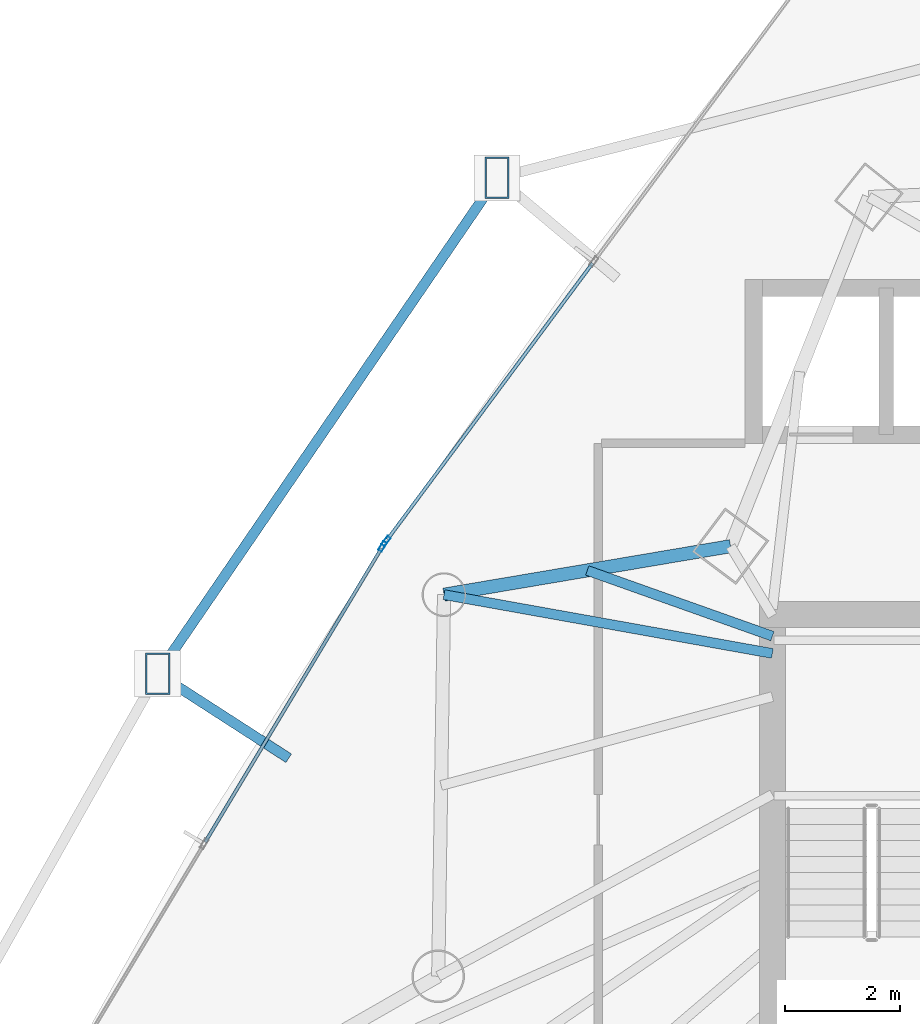
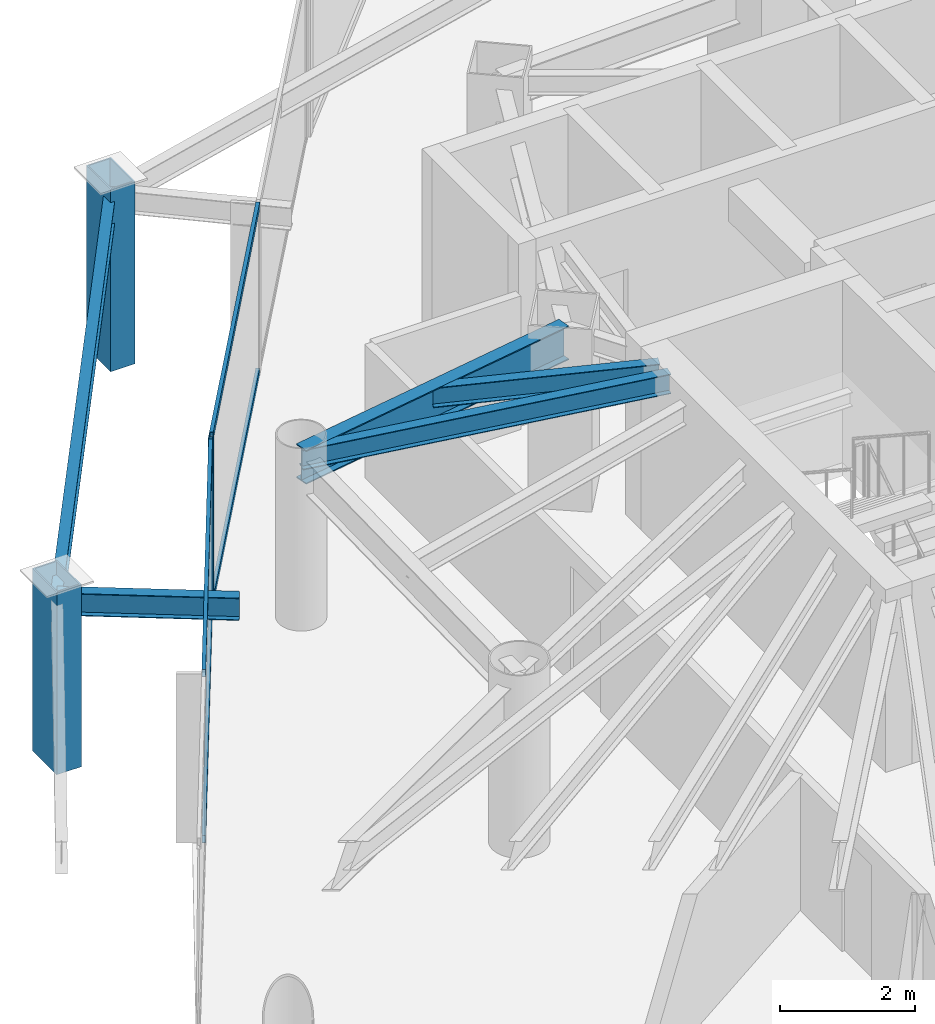
# One storey, part 20 of 33: 8 members, 5 beams, 2 elements without a shape of their own.
"""IFC4 building model written with IfcOpenShell, lengths in metres."""

from ifc_helpers import new_model, si_unit, direction, frame, origin, origin_2d, place, context, subcontext, project, spatial, hollow_rectangle, i_section, extrude, material, layer, layer_set, material_profile, profile_set, type_object, element, aggregate, save


model = new_model("IFC4")

# Units and contexts
model_context = context("Model", 3, precision=1e-05, world=origin(), true_north=direction((0.0, 1.0)))
body_context = subcontext(model_context, "Body", "Model", "MODEL_VIEW")
ifc_project = project(units=[si_unit("LENGTHUNIT", "METRE"), si_unit("AREAUNIT", "SQUARE_METRE"), si_unit("VOLUMEUNIT", "CUBIC_METRE"), si_unit("PLANEANGLEUNIT", "RADIAN"), si_unit("MASSUNIT", "GRAM", prefix="KILO")], contexts=[model_context])

# Site, building, storey
site_placement = place(None, origin())
site = spatial("IfcSite", under=ifc_project, at=site_placement, CompositionType="ELEMENT")
building_placement = place(site_placement, origin())
building = spatial("IfcBuilding", under=site, at=building_placement, Name="Orvanel Arch Residences", CompositionType="ELEMENT")
storey_placement = place(building_placement, frame((0.0, 0.0, 87.35009765625)))
storey = spatial("IfcBuildingStorey", under=building, at=storey_placement, Name="L24", CompositionType="ELEMENT", Elevation=87.35009765625)

# Beams
ifc_material_1 = material(Name="Structural steel AS/NZS 3679.1 Grade 300 (300 MPa)", Category="steel")
ifc_material_profile_1 = material_profile(ifc_material_1, i_section(OverallWidth=0.1708984375, OverallDepth=0.35595703125, WebThickness=0.00732421875, FlangeThickness=0.011474609375, at=origin_2d()), Name="360UB50.7")
ifc_profile_set_1 = profile_set([ifc_material_profile_1], Name="Structural steel AS/NZS 3679.1 Grade 300 (300 MPa)")
beam_type_1 = type_object("IfcBeamType", Name="BJ-360UB", PredefinedType="JOIST", material=ifc_profile_set_1)
beam_1_placement = place(storey_placement, frame((26.375, 33.25, 2.8818359375), z_axis=(-0.984360855662, 0.176163860766, 0.0), x_axis=(-0.176163860766, -0.984360855662, 0.0)))
element("IfcBeam", 1, at=beam_1_placement, inside=storey, type_object=beam_type_1, Name="L24 LW Wing Floor Joist", PredefinedType="JOIST", context=body_context, shape_type="SweptSolid", body=[
    extrude(i_section(OverallWidth=0.1708984375, OverallDepth=0.35595703125, WebThickness=0.00732421875, FlangeThickness=0.011474609375, at=origin_2d()), origin(), (0.0, 0.0, 1.0), 5.795654296875),
])
beam_2_placement = place(storey_placement, frame((26.375, 33.550048828125, 2.8818359375), z_axis=(-0.942366638377, 0.334582006201, 0.0), x_axis=(-0.334582006201, -0.942366638377, 0.0)))
element("IfcBeam", 2, at=beam_2_placement, inside=storey, type_object=beam_type_1, Name="L24 JADD3 Wing Floor Joist", PredefinedType="JOIST", context=body_context, shape_type="SweptSolid", body=[
    extrude(i_section(OverallWidth=0.1708984375, OverallDepth=0.35595703125, WebThickness=0.00732421875, FlangeThickness=0.011474609375, at=origin_2d()), origin(), (0.0, 0.0, 1.0), 3.412841796875),
])

# Members
ifc_material_2 = material(Name="Structural steel AS/NZS 3678 Grade 350", Category="steel")
ifc_material_profile_2 = material_profile(ifc_material_2, hollow_rectangle(XDim=0.419921875, YDim=0.719970703125, WallThickness=0.02490234375, at=origin_2d()), Name="RHS720x420x25")
ifc_profile_set_2 = profile_set([ifc_material_profile_2], Name="Structural steel AS/NZS 3678 Grade 350")
member_type_1 = type_object("IfcMemberType", Name="CH-720RHS-EXT", PredefinedType="CHORD", material=ifc_profile_set_2)
for number, where, z_axis, x_axis, name in (
    (3, (21.591064453125, 41.511962890625, 0.0), (0.0, 0.0, 1.0), (1.0, 0.0, 0.0), "L24 Outer Perimeter Frame Post 01"),
    (4, (15.697021484375, 32.89697265625, 0.0), (0.0, 0.0, 1.0), (1.0, 0.0, 0.0), "L24 Outer Perimeter Frame Post 02"),
):
    element("IfcMember", number, at=place(storey_placement, frame(where, z_axis=z_axis, x_axis=x_axis)), inside=storey, type_object=member_type_1, Name=name, PredefinedType="CHORD", context=body_context, shape_type="SweptSolid", body=[
        extrude(hollow_rectangle(XDim=0.419921875, YDim=0.719970703125, WallThickness=0.02490234375, at=origin_2d()), origin(), (0.0, 0.0, 1.0), 3.2998046875),
    ])

# Curtain wall, member
ifc_material_3 = material(Name="Bronze-anodised aluminium AA6063-T6", Category="aluminium")
ifc_layer = layer(ifc_material_3, 0.179931640625)
ifc_layer_set = layer_set([ifc_layer], Name="Bronze-anodised aluminium AA6063-T6")
curtain_wall_type = type_object("IfcCurtainWallType", Name="CW2-LOW-SYS", PredefinedType="NOTDEFINED", material=ifc_layer_set)
curtain_wall_1_placement = place(storey_placement, origin())
curtain_wall_1 = element("IfcCurtainWall", 5, at=curtain_wall_1_placement, inside=storey, type_object=curtain_wall_type, Name="L24 CW2-LOW-SYS Unitised Curtain Wall", PredefinedType="NOTDEFINED")
ifc_material_profile_3 = material_profile(ifc_material_3, hollow_rectangle(XDim=0.070068359375, YDim=0.179931640625, WallThickness=0.00439453125, at=origin_2d()), Name="ALU180x70x4.5")
ifc_profile_set_3 = profile_set([ifc_material_profile_3], Name="Bronze-anodised aluminium AA6063-T6")
member_type_2 = type_object("IfcMemberType", Name="MUL-180x70", PredefinedType="MULLION", material=ifc_profile_set_3)
member_1_placement = place(storey_placement, frame((19.662841796875, 35.198974609375, 0.0), z_axis=(0.0, 0.0, 1.0), x_axis=(0.80276182632, -0.59629979893, 0.0)))
member_1 = element("IfcMember", 6, at=member_1_placement, type_object=member_type_2, Name="CW-S2 mullion 3", PredefinedType="MULLION", context=body_context, shape_type="SweptSolid", body=[
    extrude(hollow_rectangle(XDim=0.070068359375, YDim=0.179931640625, WallThickness=0.00439453125, at=origin_2d()), origin(), (0.0, 0.0, 1.0), 3.059814453125),
])

curtain_wall_2_placement = place(storey_placement, origin())
curtain_wall_2 = element("IfcCurtainWall", 7, at=curtain_wall_2_placement, inside=storey, type_object=curtain_wall_type, Name="L24 CW2-LOW-SYS Unitised Curtain Wall", PredefinedType="NOTDEFINED")
member_2_placement = place(storey_placement, frame((19.60205078125, 35.10791015625, 0.0), z_axis=(0.0, 0.0, 1.0), x_axis=(0.857536630134, -0.514422907712, 0.0)))
member_2 = element("IfcMember", 8, at=member_2_placement, type_object=member_type_2, Name="CW-S2 mullion 1", PredefinedType="MULLION", context=body_context, shape_type="SweptSolid", body=[
    extrude(hollow_rectangle(XDim=0.070068359375, YDim=0.179931640625, WallThickness=0.00439453125, at=origin_2d()), origin(), (0.0, 0.0, 1.0), 3.059814453125),
])

# Beams
ifc_material_profile_4 = material_profile(ifc_material_1, i_section(OverallWidth=0.177978515625, OverallDepth=0.406005859375, WebThickness=0.0078125, FlangeThickness=0.0126953125, at=origin_2d()), Name="410UB59.7")
ifc_profile_set_4 = profile_set([ifc_material_profile_4], Name="Structural steel AS/NZS 3679.1 Grade 300 (300 MPa)")
beam_type_2 = type_object("IfcBeamType", Name="OB-410UB-EXT", PredefinedType="SPANDREL", material=ifc_profile_set_4)
beam_3_placement = place(storey_placement, frame((21.591064453125, 41.511962890625, 2.85693359375), z_axis=(-0.564656245695, -0.825326192604, 0.0), x_axis=(0.825326192604, -0.564656245695, 0.0)))
element("IfcBeam", 9, at=beam_3_placement, inside=storey, type_object=beam_type_2, Name="L24 Outer Perimeter Floor Ring Beam 01", PredefinedType="SPANDREL", context=body_context, shape_type="SweptSolid", body=[
    extrude(i_section(OverallWidth=0.177978515625, OverallDepth=0.406005859375, WebThickness=0.0078125, FlangeThickness=0.0126953125, at=origin_2d()), origin(), (0.0, 0.0, 1.0), 10.438232421875),
])
beam_4_placement = place(storey_placement, frame((17.971923828125, 31.428955078125, 2.85693359375), z_axis=(-0.840239663799, 0.542215185493, 0.0), x_axis=(-0.542215185493, -0.840239663799, 0.0)))
element("IfcBeam", 10, at=beam_4_placement, inside=storey, type_object=beam_type_2, Name="L24 Outer Frame Radial Tie Beam 02", PredefinedType="SPANDREL", context=body_context, shape_type="SweptSolid", body=[
    extrude(i_section(OverallWidth=0.177978515625, OverallDepth=0.406005859375, WebThickness=0.0078125, FlangeThickness=0.0126953125, at=origin_2d()), origin(), (0.0, 0.0, 1.0), 2.70751953125),
])
ifc_material_profile_5 = material_profile(ifc_material_1, i_section(OverallWidth=0.22900390625, OverallDepth=0.612060546875, WebThickness=0.011962890625, FlangeThickness=0.01953125, at=origin_2d()), Name="610UB125")
ifc_profile_set_5 = profile_set([ifc_material_profile_5], Name="Structural steel AS/NZS 3679.1 Grade 300 (300 MPa)")
beam_type_3 = type_object("IfcBeamType", Name="SP-610UB", PredefinedType="SPANDREL", material=ifc_profile_set_5)
beam_5_placement = place(storey_placement, frame((25.64794921875, 35.113037109375, 2.75390625), z_axis=(-0.985993733897, -0.166782363326, 0.0), x_axis=(0.166782363326, -0.985993733897, 0.0)))
element("IfcBeam", 11, at=beam_5_placement, inside=storey, type_object=beam_type_3, Name="L24 Perimeter Spandrel Beam 19", PredefinedType="SPANDREL", context=body_context, shape_type="SweptSolid", body=[
    extrude(i_section(OverallWidth=0.22900390625, OverallDepth=0.612060546875, WebThickness=0.011962890625, FlangeThickness=0.01953125, at=origin_2d()), origin(), (0.0, 0.0, 1.0), 5.048828125),
])

# Member
ifc_material_profile_6 = material_profile(ifc_material_3, hollow_rectangle(XDim=0.06005859375, YDim=0.135009765625, WallThickness=0.00390625, at=origin_2d()), Name="ALU135x60x4")
ifc_profile_set_6 = profile_set([ifc_material_profile_6], Name="Bronze-anodised aluminium AA6063-T6")
member_type_3 = type_object("IfcMemberType", Name="TRN-135x60", PredefinedType="USERDEFINED", material=ifc_profile_set_6)
member_3_placement = place(storey_placement, frame((23.250244140625, 40.0283203125, 0.02978515625), z_axis=(-0.596316485567, -0.802749431043, 0.0), x_axis=(0.802749431043, -0.596316485567, 0.0)))
member_3 = element("IfcMember", 12, at=member_3_placement, type_object=member_type_3, Name="CW-S2 transom 2.1", ObjectType="TRANSOM", PredefinedType="USERDEFINED", context=body_context, shape_type="SweptSolid", body=[
    extrude(hollow_rectangle(XDim=0.06005859375, YDim=0.135009765625, WallThickness=0.00390625, at=origin_2d()), origin(), (0.0, 0.0, 1.0), 5.980712890625),
])

member_4_placement = place(storey_placement, frame((23.250244140625, 40.0283203125, 3.02978515625), z_axis=(-0.596316485567, -0.802749431043, 0.0), x_axis=(0.802749431043, -0.596316485567, 0.0)))
member_4 = element("IfcMember", 13, at=member_4_placement, type_object=member_type_3, Name="CW-S2 transom 2.2", ObjectType="TRANSOM", PredefinedType="USERDEFINED", context=body_context, shape_type="SweptSolid", body=[
    extrude(hollow_rectangle(XDim=0.06005859375, YDim=0.135009765625, WallThickness=0.00390625, at=origin_2d()), origin(), (0.0, 0.0, 1.0), 5.980712890625),
])

aggregate(curtain_wall_1, [member_1, member_3, member_4])

member_5_placement = place(storey_placement, frame((19.583984375, 35.077880859375, 0.02978515625), z_axis=(-0.514441457873, -0.857525501907, 0.0), x_axis=(0.857525501907, -0.514441457873, 0.0)))
member_5 = element("IfcMember", 14, at=member_5_placement, type_object=member_type_3, Name="CW-S2 transom 1.1", ObjectType="TRANSOM", PredefinedType="USERDEFINED", context=body_context, shape_type="SweptSolid", body=[
    extrude(hollow_rectangle(XDim=0.06005859375, YDim=0.135009765625, WallThickness=0.00390625, at=origin_2d()), origin(), (0.0, 0.0, 1.0), 5.951171875),
])

member_6_placement = place(storey_placement, frame((19.583984375, 35.077880859375, 3.02978515625), z_axis=(-0.514441457873, -0.857525501907, 0.0), x_axis=(0.857525501907, -0.514441457873, 0.0)))
member_6 = element("IfcMember", 15, at=member_6_placement, type_object=member_type_3, Name="CW-S2 transom 1.2", ObjectType="TRANSOM", PredefinedType="USERDEFINED", context=body_context, shape_type="SweptSolid", body=[
    extrude(hollow_rectangle(XDim=0.06005859375, YDim=0.135009765625, WallThickness=0.00390625, at=origin_2d()), origin(), (0.0, 0.0, 1.0), 5.951171875),
])

aggregate(curtain_wall_2, [member_2, member_5, member_6])

save(model, "model.ifc")
